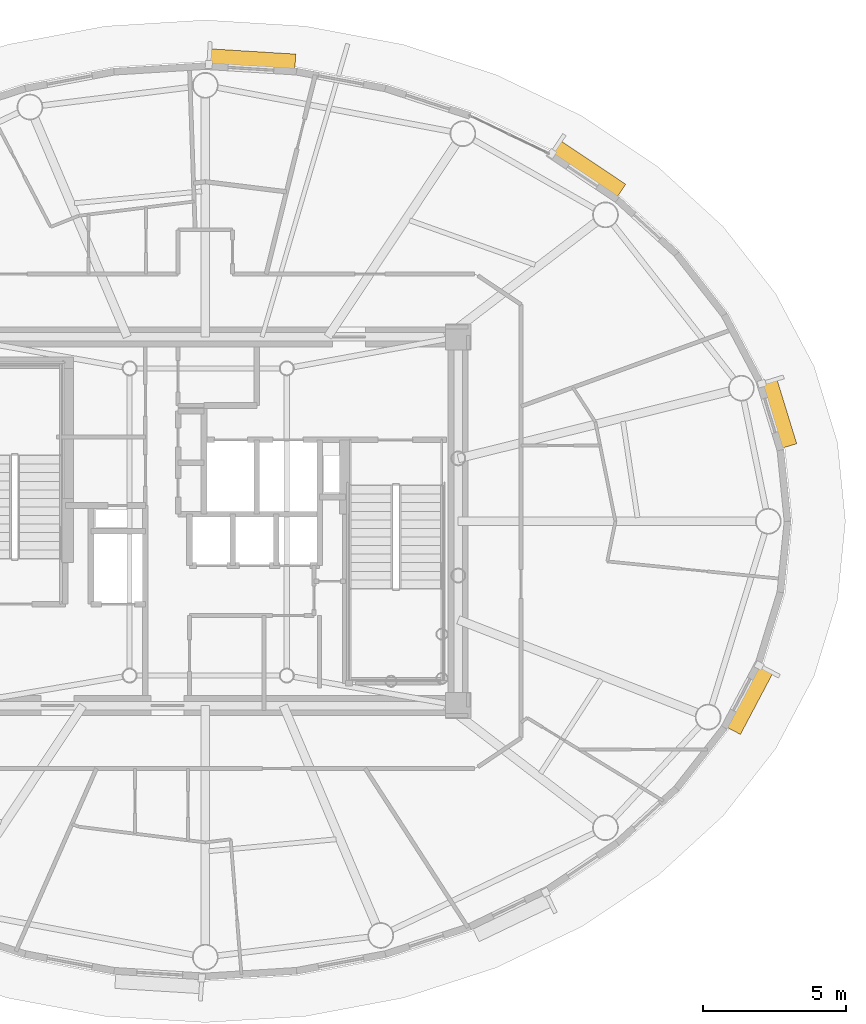
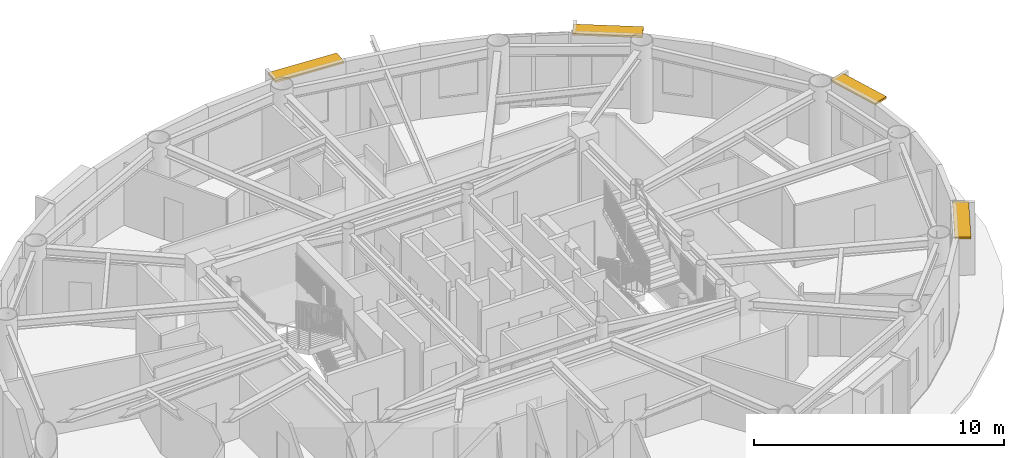
# One storey, part 17 of 17: 4 shading devices.
"""IFC4 building model written with IfcOpenShell, lengths in metres."""

from ifc_helpers import new_model, si_unit, direction, frame, origin, origin_2d, place, context, subcontext, project, spatial, rectangle, extrude, source, transform, mapped, material, layer, layer_set, type_object, element, save


model = new_model("IFC4")

# Units and contexts
model_context = context("Model", 3, precision=1e-05, world=origin(), true_north=direction((0.0, 1.0)))
body_context = subcontext(model_context, "Body", "Model", "MODEL_VIEW")
ifc_project = project(units=[si_unit("LENGTHUNIT", "METRE"), si_unit("AREAUNIT", "SQUARE_METRE"), si_unit("VOLUMEUNIT", "CUBIC_METRE"), si_unit("PLANEANGLEUNIT", "RADIAN"), si_unit("MASSUNIT", "GRAM", prefix="KILO")], contexts=[model_context])

# Site, building, storey
site_placement = place(None, origin())
site = spatial("IfcSite", under=ifc_project, at=site_placement, CompositionType="ELEMENT")
building_placement = place(site_placement, origin())
building = spatial("IfcBuilding", under=site, at=building_placement, Name="Linh Dai School and Residence Tower", CompositionType="ELEMENT")
storey_placement = place(building_placement, frame((0.0, 0.0, 324.0)))
storey = spatial("IfcBuildingStorey", under=building, at=storey_placement, Name="L80", CompositionType="ELEMENT", Elevation=324.0)

# Shading devices
ifc_material = material(Name="Terracotta Ceramic Sunshade", Category="masonry")
ifc_layer = layer(ifc_material, 0.10009765625)
ifc_layer_set = layer_set([ifc_layer], Name="Terracotta Ceramic Sunshade")
shading_device_type = type_object("IfcShadingDeviceType", Name="SHD-TC-650", PredefinedType="USERDEFINED", material=ifc_layer_set)
shared_shape_1 = source(origin(), body_context, "Body", "SweptSolid", [
    extrude(rectangle(XDim=2.4365234375, YDim=0.64990234375, at=origin_2d()), origin(), (0.0, 0.0, 1.0), 0.10009765625),
])
shading_device_1_placement = place(storey_placement, frame((56.025634765625, 30.78369140625, 3.429931640625), z_axis=(0.0, 0.0, 1.0), x_axis=(0.293094784248, -0.956083389379, 0.0)))
element("IfcShadingDevice", 1, at=shading_device_1_placement, inside=storey, type_object=shading_device_type, Name="L80 Terracotta Horizontal Sunshade Band 02", ObjectType="SUNSHADE", PredefinedType="USERDEFINED", context=body_context, shape_type="MappedRepresentation", body=[
    mapped(shared_shape_1, transform((0.0, 0.0, 0.0), x_axis=(1.0, 0.0, 0.0), y_axis=(0.0, 1.0, 0.0), z_axis=(0.0, 0.0, 1.0), scale=1.0)),
])
shared_shape_2 = source(origin(), body_context, "Body", "SweptSolid", [
    extrude(rectangle(XDim=2.8076171875, YDim=0.64990234375, at=origin_2d()), origin(), (0.0, 0.0, 1.0), 0.10009765625),
])
shading_device_2_placement = place(storey_placement, frame((49.361572265625, 39.303955078125, 3.429931640625), z_axis=(0.0, 0.0, 1.0), x_axis=(0.831201837679, -0.555970777144, 0.0)))
element("IfcShadingDevice", 2, at=shading_device_2_placement, inside=storey, type_object=shading_device_type, Name="L80 Terracotta Horizontal Sunshade Band 06", ObjectType="SUNSHADE", PredefinedType="USERDEFINED", context=body_context, shape_type="MappedRepresentation", body=[
    mapped(shared_shape_2, transform((0.0, 0.0, 0.0), x_axis=(1.0, 0.0, 0.0), y_axis=(0.0, 1.0, 0.0), z_axis=(0.0, 0.0, 1.0), scale=1.0)),
])
shared_shape_3 = source(origin(), body_context, "Body", "SweptSolid", [
    extrude(rectangle(XDim=3.069580078125, YDim=0.64990234375, at=origin_2d()), origin(), (0.0, 0.0, 1.0), 0.10009765625),
])
shading_device_3_placement = place(storey_placement, frame((37.61328125, 43.1162109375, 3.429931640625), z_axis=(0.0, 0.0, 1.0), x_axis=(0.998105945335, -0.061518467854, 0.0)))
element("IfcShadingDevice", 3, at=shading_device_3_placement, inside=storey, type_object=shading_device_type, Name="L80 Terracotta Horizontal Sunshade Band 10", ObjectType="SUNSHADE", PredefinedType="USERDEFINED", context=body_context, shape_type="MappedRepresentation", body=[
    mapped(shared_shape_3, transform((0.0, 0.0, 0.0), x_axis=(1.0, 0.0, 0.0), y_axis=(0.0, 1.0, 0.0), z_axis=(0.0, 0.0, 1.0), scale=1.0)),
])
shared_shape_4 = source(origin(), body_context, "Body", "SweptSolid", [
    extrude(rectangle(XDim=2.505615234375, YDim=0.64990234375, at=origin_2d()), origin(), (0.0, 0.0, 1.0), 0.10009765625),
])
shading_device_4_placement = place(storey_placement, frame((55.02294921875, 20.7998046875, 3.429931640625), z_axis=(0.0, 0.0, 1.0), x_axis=(-0.46754020214, -0.883971809156, 0.0)))
element("IfcShadingDevice", 4, at=shading_device_4_placement, inside=storey, type_object=shading_device_type, Name="L80 Terracotta Horizontal Sunshade Band 38", ObjectType="SUNSHADE", PredefinedType="USERDEFINED", context=body_context, shape_type="MappedRepresentation", body=[
    mapped(shared_shape_4, transform((0.0, 0.0, 0.0), x_axis=(1.0, 0.0, 0.0), y_axis=(0.0, 1.0, 0.0), z_axis=(0.0, 0.0, 1.0), scale=1.0)),
])

save(model, "model.ifc")
